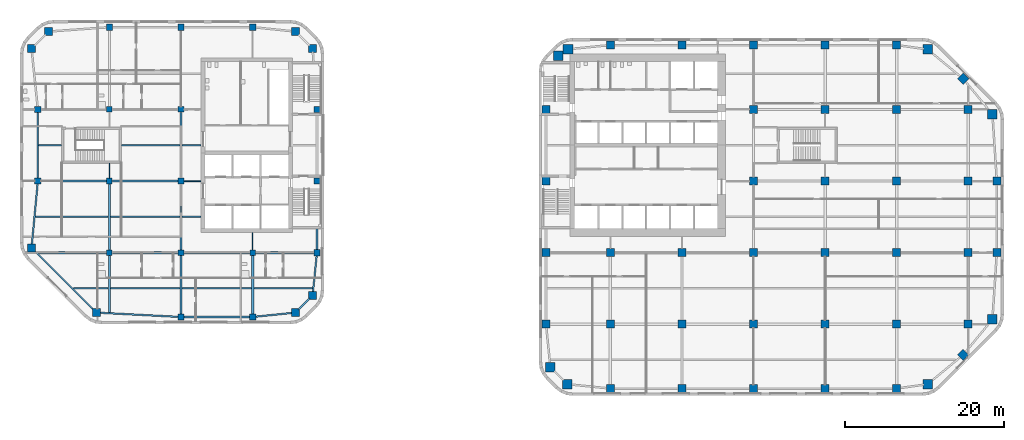
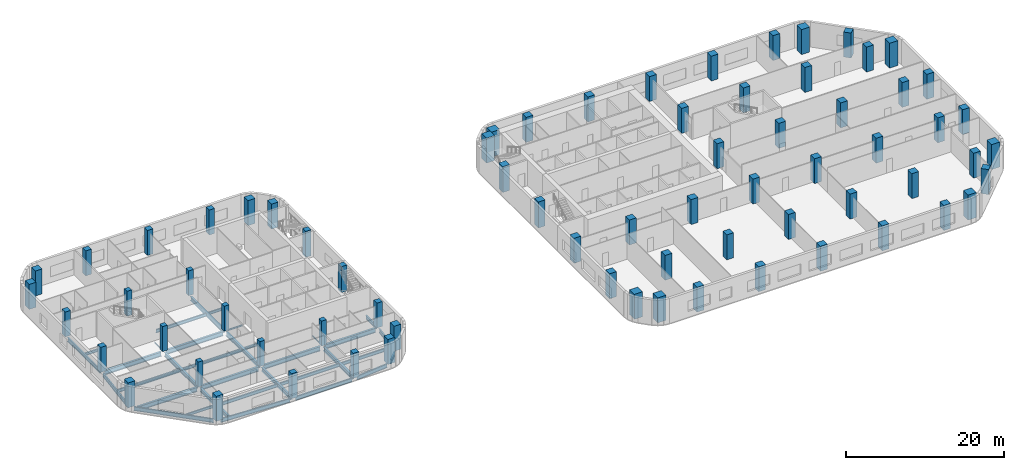
# One storey, part 1 of 16: 71 columns, 34 beams.
"""IFC4 building model written with IfcOpenShell, lengths in metres."""

import ifcopenshell
import ifcopenshell.guid

model = None  # the IFC model being written
_history = None  # IfcOwnerHistory: only IFC2X3 demands one
_inside = {}  # id of a spatial element -> (the spatial element, [elements in it])
_under = {}  # id of a project, library or spatial element -> (it, [spatial elements below it])
_declared = {}  # id of a project -> (the project, [libraries it declares])
_typed = {}  # id of a type object -> (the type object, [elements of that type])
_made_of = {}  # id of a material, layer set ... -> (it, [elements and type objects made of it])


def new_model(schema):
    """Start an empty IFC model of exactly this schema.

    Asked for "IFC4X3", IfcOpenShell would pick the latest addendum, in which some entities
    have other attributes; the version numbers below select the first issue.
    IFC2X3 requires an IfcOwnerHistory on every rooted entity: one is made here for all.
    """
    global model, _history
    if schema == "IFC4X3":
        model = ifcopenshell.file(schema_version=(4, 3, 0, 0))
    else:
        model = ifcopenshell.file(schema=schema)
    _inside.clear()
    _under.clear()
    _declared.clear()
    _typed.clear()
    _made_of.clear()
    _history = None
    if model.schema == "IFC2X3":
        org = make("IfcOrganization", Name="unknown")
        user = make(
            "IfcPersonAndOrganization",
            ThePerson=make("IfcPerson", FamilyName="unknown"),
            TheOrganization=org,
        )
        app = make(
            "IfcApplication",
            ApplicationDeveloper=org,
            Version="unknown",
            ApplicationFullName="unknown",
            ApplicationIdentifier="unknown",
        )
        _history = make(
            "IfcOwnerHistory",
            OwningUser=user,
            OwningApplication=app,
            ChangeAction="ADDED",
            CreationDate=0,
        )
    return model


def make(cls, **values):
    """One entity of the class cls with the attributes given. An attribute that is None is left unset."""
    return model.create_entity(
        cls, **{name: value for name, value in values.items() if value is not None}
    )


def rooted(cls, **values):
    """An entity with a GlobalId (a new one), such as an element, a storey or a relation."""
    return make(cls, GlobalId=ifcopenshell.guid.new(), OwnerHistory=_history, **values)


def si_unit(unit_type, name, prefix=None):
    """IfcSIUnit, for example si_unit("LENGTHUNIT", "METRE", prefix="MILLI")."""
    return make("IfcSIUnit", UnitType=unit_type, Prefix=prefix, Name=name)


def assignment(units):
    """IfcUnitAssignment: the units of a project."""
    return None if units is None else make("IfcUnitAssignment", Units=units)


def point(xyz):
    """IfcCartesianPoint."""
    return None if xyz is None else make("IfcCartesianPoint", Coordinates=xyz)


def direction(xyz):
    """IfcDirection."""
    return None if xyz is None else make("IfcDirection", DirectionRatios=xyz)


def frame(location, z_axis=None, x_axis=None):
    """IfcAxis2Placement3D, a coordinate frame: its origin and axes. An axis left out is left unset."""
    return make(
        "IfcAxis2Placement3D",
        Location=point(location),
        Axis=direction(z_axis),
        RefDirection=direction(x_axis),
    )


def frame_2d(location, x_axis=None):
    """IfcAxis2Placement2D, a coordinate frame in the plane: its origin and x axis."""
    return make(
        "IfcAxis2Placement2D", Location=point(location), RefDirection=direction(x_axis)
    )


def origin():
    """The frame at (0, 0, 0) with its axes left unset."""
    return frame((0.0, 0.0, 0.0))


def origin_2d():
    """The frame at (0, 0) in the plane with its x axis left unset."""
    return frame_2d((0.0, 0.0))


def place(relative_to, where):
    """IfcLocalPlacement: puts the frame where relative to a parent placement (None: the world)."""
    return make(
        "IfcLocalPlacement", PlacementRelTo=relative_to, RelativePlacement=where
    )


def context(
    kind, dimensions, precision=None, world=None, true_north=None, identifier=None
):
    """IfcGeometricRepresentationContext, for example the 3D "Model" context."""
    return make(
        "IfcGeometricRepresentationContext",
        ContextIdentifier=identifier,
        ContextType=kind,
        CoordinateSpaceDimension=dimensions,
        Precision=precision,
        WorldCoordinateSystem=world,
        TrueNorth=true_north,
    )


def subcontext(parent, identifier, kind, view, scale=None):
    """IfcGeometricRepresentationSubContext, for example "Body" below "Model"."""
    return make(
        "IfcGeometricRepresentationSubContext",
        ContextIdentifier=identifier,
        ContextType=kind,
        ParentContext=parent,
        TargetScale=scale,
        TargetView=view,
    )


def project(units=None, contexts=None):
    """IfcProject with its units and contexts."""
    return rooted(
        "IfcProject",
        Name="project",
        RepresentationContexts=contexts,
        UnitsInContext=assignment(units),
    )


def spatial(cls, under=None, at=None, **own):
    """A site, building, storey or space (cls), placed at a placement, below another one or the project."""
    s = rooted(cls, ObjectPlacement=at, **own)
    if under is not None:
        _under.setdefault(under.id(), (under, []))[1].append(s)
    return s


def profile(cls, at=None, kind="AREA", **sizes):
    """A parametric profile (cls). Its sizes go by their IFC names, for example OverallWidth=200.0."""
    return make(cls, ProfileType=kind, Position=at, **sizes)


def rectangle(**sizes):
    """IfcRectangleProfileDef."""
    return profile("IfcRectangleProfileDef", **sizes)


def i_section(**sizes):
    """IfcIShapeProfileDef."""
    return profile("IfcIShapeProfileDef", **sizes)


def extrude(swept, where, along, depth):
    """IfcExtrudedAreaSolid: the profile swept, set in the frame where, extruded along a direction by depth."""
    return make(
        "IfcExtrudedAreaSolid",
        SweptArea=swept,
        Position=where,
        ExtrudedDirection=direction(along),
        Depth=depth,
    )


def shape(context_of_items, identifier, shape_type, items):
    """IfcShapeRepresentation: the items that make up one representation, for example the "Body"."""
    return make(
        "IfcShapeRepresentation",
        ContextOfItems=context_of_items,
        RepresentationIdentifier=identifier,
        RepresentationType=shape_type,
        Items=items,
    )


def material(Name=None, Category=None):
    """IfcMaterial."""
    return make("IfcMaterial", Name=Name, Category=Category)


def material_profile(
    of_material, cross_section, Name=None, Category=None, Priority=None
):
    """IfcMaterialProfile: a cross section and its material."""
    return make(
        "IfcMaterialProfile",
        Name=Name,
        Material=of_material,
        Profile=cross_section,
        Priority=Priority,
        Category=Category,
    )


def profile_set(profiles, Name=None, composite=None):
    """IfcMaterialProfileSet."""
    return make(
        "IfcMaterialProfileSet",
        Name=Name,
        MaterialProfiles=profiles,
        CompositeProfile=composite,
    )


def made_of(thing, what):
    """Note that an element or type object is made of a material, layer set ...; save() writes the relation."""
    if what is not None:
        _made_of.setdefault(what.id(), (what, []))[1].append(thing)
    return thing


def type_object(cls, material=None, **own):
    """A type object (cls), such as IfcWallType, which elements share."""
    return made_of(rooted(cls, **own), material)


def element(
    cls,
    number,
    at=None,
    inside=None,
    cuts=None,
    type_object=None,
    material=None,
    context=None,
    identifier="Body",
    shape_type=None,
    held_by="IfcProductDefinitionShape",
    body=None,
    shapes=None,
    **own,
):
    """One element of the class cls, such as IfcWall. Its Tag is "e" and its number.

    at: its placement. inside: the storey or other place that contains it. cuts: it is an
    opening in that element (IfcRelVoidsElement). A single representation is given by context,
    identifier, shape_type and body (its items); several are given by shapes. held_by: the class
    of the entity that holds the representations. save() writes the other relations.
    """
    e = rooted(cls, Tag="e%d" % number, ObjectPlacement=at, **own)
    if body is not None:
        shapes = [shape(context, identifier, shape_type, body)]
    if shapes is not None:
        e.Representation = make(held_by, Representations=shapes)
    if inside is not None:
        _inside.setdefault(inside.id(), (inside, []))[1].append(e)
    if cuts is not None:
        rooted(
            "IfcRelVoidsElement", RelatingBuildingElement=cuts, RelatedOpeningElement=e
        )
    if type_object is not None:
        _typed.setdefault(type_object.id(), (type_object, []))[1].append(e)
    return made_of(e, material)


def aggregate(whole, parts):
    """IfcRelAggregates: a whole, such as a stair, and the parts it consists of."""
    return rooted("IfcRelAggregates", RelatingObject=whole, RelatedObjects=parts)


def save(model, path):
    """Write the relations noted so far, then the file.

    IfcRelAggregates (storeys below a building ...), IfcRelContainedInSpatialStructure (elements
    in a storey), IfcRelDefinesByType, IfcRelAssociatesMaterial and IfcRelDeclares: one each for
    every whole, place, type object, material and project.
    """
    for whole, parts in _under.values():
        aggregate(whole, parts)
    for where, things in _inside.values():
        rooted(
            "IfcRelContainedInSpatialStructure",
            RelatedElements=things,
            RelatingStructure=where,
        )
    for kind, things in _typed.values():
        rooted("IfcRelDefinesByType", RelatedObjects=things, RelatingType=kind)
    for what, things in _made_of.values():
        rooted("IfcRelAssociatesMaterial", RelatedObjects=things, RelatingMaterial=what)
    for by, libraries in _declared.values():
        rooted("IfcRelDeclares", RelatingContext=by, RelatedDefinitions=libraries)
    model.write(path)


model = new_model("IFC4")

# Units and contexts
model_context = context("Model", 3, precision=1e-05, world=origin(), true_north=direction((0.0, 1.0)))
body_context = subcontext(model_context, "Body", "Model", "MODEL_VIEW")
ifc_project = project(units=[si_unit("LENGTHUNIT", "METRE"), si_unit("AREAUNIT", "SQUARE_METRE"), si_unit("VOLUMEUNIT", "CUBIC_METRE"), si_unit("PLANEANGLEUNIT", "RADIAN"), si_unit("MASSUNIT", "GRAM", prefix="KILO")], contexts=[model_context])

# Site, building, storey
site_placement = place(None, origin())
site = spatial("IfcSite", under=ifc_project, at=site_placement, CompositionType="ELEMENT")
building_placement = place(site_placement, origin())
building = spatial("IfcBuilding", under=site, at=building_placement, Name="Cinnabar Reach Civic Tower", CompositionType="ELEMENT")
storey_placement = place(building_placement, frame((0.0, 0.0, 79.0)))
storey = spatial("IfcBuildingStorey", under=building, at=storey_placement, Name="L18", CompositionType="ELEMENT", Elevation=79.0)

# Columns
ifc_material_1 = material(Name="Concrete C70", Category="concrete")
ifc_material_profile_1 = material_profile(ifc_material_1, rectangle(XDim=1.0, YDim=1.0, at=origin_2d()), Name="RC1000")
ifc_profile_set_1 = profile_set([ifc_material_profile_1], Name="Concrete C70")
column_type_1 = type_object("IfcColumnType", Name="RC1000 column R 180", PredefinedType="COLUMN", material=ifc_profile_set_1)
for number, where, z_axis, x_axis, name in (
    (1, (-55.6481, 10.4531, 0.0), (0.0, 0.0, 1.0), (1.0, 0.0, 0.0), "Column T2-Z2-CC0"),
    (2, (-30.6019, 10.4531, 0.0), (0.0, 0.0, 1.0), (1.0, 0.0, 0.0), "Column T2-Z2-CC1"),
    (3, (-28.4531, 12.6019, 0.0), (0.0, 0.0, 1.0), (1.0, 0.0, 0.0), "Column T2-Z2-CC2"),
    (4, (-28.4531, 43.6481, 0.0), (0.0, 0.0, 1.0), (1.0, 0.0, 0.0), "Column T2-Z2-CC3"),
    (5, (-30.6019, 45.7969, 0.0), (0.0, 0.0, 1.0), (1.0, 0.0, 0.0), "Column T2-Z2-CC4"),
    (6, (-61.6481, 45.7969, 0.0), (0.0, 0.0, 1.0), (1.0, 0.0, 0.0), "Column T2-Z2-CC5"),
    (7, (-63.7969, 43.6481, 0.0), (0.0, 0.0, 1.0), (1.0, 0.0, 0.0), "Column T2-Z2-CC6"),
    (8, (-63.7969, 18.6019, 0.0), (0.0, 0.0, 1.0), (1.0, 0.0, 0.0), "Column T2-Z2-CC7"),
):
    element("IfcColumn", number, at=place(storey_placement, frame(where, z_axis=z_axis, x_axis=x_axis)), inside=storey, type_object=column_type_1, Name=name, PredefinedType="COLUMN", context=body_context, shape_type="SweptSolid", body=[
        extrude(rectangle(XDim=1.0, YDim=1.0, at=origin_2d()), origin(), (0.0, 0.0, 1.0), 3.85),
    ])
ifc_material_profile_2 = material_profile(ifc_material_1, rectangle(XDim=1.0, YDim=1.0, at=origin_2d()), Name="RC1000")
ifc_profile_set_2 = profile_set([ifc_material_profile_2], Name="Concrete C70")
column_type_2 = type_object("IfcColumnType", Name="RC1000 column R 240", PredefinedType="COLUMN", material=ifc_profile_set_2)
for number, where, z_axis, x_axis, name in (
    (9, (9.0, 0.9, 0.0), (0.0, 0.0, 1.0), (1.0, 0.0, 0.0), "Column T1-Z1-F0-1"),
    (10, (18.0, 0.9, 0.0), (0.0, 0.0, 1.0), (1.0, 0.0, 0.0), "Column T1-Z1-F0-2"),
    (11, (27.0, 0.9, 0.0), (0.0, 0.0, 1.0), (1.0, 0.0, 0.0), "Column T1-Z1-F0-3"),
    (12, (36.0, 0.9, 0.0), (0.0, 0.0, 1.0), (1.0, 0.0, 0.0), "Column T1-Z1-F0-4"),
    (13, (45.0, 0.9, 0.0), (0.0, 0.0, 1.0), (1.0, 0.0, 0.0), "Column T1-Z1-F0-5"),
    (14, (53.3636, 5.1364, 0.0), (0.0, 0.0, 1.0), (0.707106781187, 0.707106781187, 0.0), "Column T1-Z1-F1-M"),
    (15, (57.6, 18.0, 0.0), (0.0, 0.0, 1.0), (1.0, 0.0, 0.0), "Column T1-Z1-F2-2"),
    (16, (57.6, 27.0, 0.0), (0.0, 0.0, 1.0), (1.0, 0.0, 0.0), "Column T1-Z1-F2-3"),
    (17, (53.3636, 39.8636, 0.0), (0.0, 0.0, 1.0), (0.707106781187, 0.707106781187, 0.0), "Column T1-Z1-F3-M"),
    (18, (9.0, 44.1, 0.0), (0.0, 0.0, 1.0), (1.0, 0.0, 0.0), "Column T1-Z1-F4-1"),
    (19, (18.0, 44.1, 0.0), (0.0, 0.0, 1.0), (1.0, 0.0, 0.0), "Column T1-Z1-F4-2"),
    (20, (27.0, 44.1, 0.0), (0.0, 0.0, 1.0), (1.0, 0.0, 0.0), "Column T1-Z1-F4-3"),
    (21, (36.0, 44.1, 0.0), (0.0, 0.0, 1.0), (1.0, 0.0, 0.0), "Column T1-Z1-F4-4"),
    (22, (45.0, 44.1, 0.0), (0.0, 0.0, 1.0), (1.0, 0.0, 0.0), "Column T1-Z1-F4-5"),
    (23, (0.9, 9.0, 0.0), (0.0, 0.0, 1.0), (1.0, 0.0, 0.0), "Column T1-Z1-F6-1"),
    (24, (0.9, 18.0, 0.0), (0.0, 0.0, 1.0), (1.0, 0.0, 0.0), "Column T1-Z1-F6-2"),
):
    element("IfcColumn", number, at=place(storey_placement, frame(where, z_axis=z_axis, x_axis=x_axis)), inside=storey, type_object=column_type_2, Name=name, PredefinedType="COLUMN", context=body_context, shape_type="SweptSolid", body=[
        extrude(rectangle(XDim=1.0, YDim=1.0, at=origin_2d()), origin(), (0.0, 0.0, 1.0), 3.85),
    ])
for number, where, z_axis, x_axis, name in (
    (25, (0.9, 27.0, 0.0), (0.0, 0.0, 1.0), (1.0, 0.0, 0.0), "Column T1-Z1-F6-3"),
    (26, (0.9, 36.0, 0.0), (0.0, 0.0, 1.0), (1.0, 0.0, 0.0), "Column T1-Z1-F6-4"),
):
    element("IfcColumn", number, at=place(storey_placement, frame(where, z_axis=z_axis, x_axis=x_axis)), inside=storey, type_object=column_type_2, Name=name, PredefinedType="COLUMN", context=body_context, shape_type="SweptSolid", body=[
        extrude(rectangle(XDim=1.0, YDim=1.0, at=origin_2d()), origin(), (0.0, 0.0, 1.0), 4.0),
    ])
for number, where, z_axis, x_axis, name in (
    (27, (9.0, 9.0, 0.0), (0.0, 0.0, 1.0), (1.0, 0.0, 0.0), "Column T1-Z1-I9_9"),
    (28, (9.0, 18.0, 0.0), (0.0, 0.0, 1.0), (1.0, 0.0, 0.0), "Column T1-Z1-I9_18"),
    (29, (18.0, 9.0, 0.0), (0.0, 0.0, 1.0), (1.0, 0.0, 0.0), "Column T1-Z1-I18_9"),
    (30, (18.0, 18.0, 0.0), (0.0, 0.0, 1.0), (1.0, 0.0, 0.0), "Column T1-Z1-I18_18"),
    (31, (27.0, 9.0, 0.0), (0.0, 0.0, 1.0), (1.0, 0.0, 0.0), "Column T1-Z1-I27_9"),
    (32, (27.0, 18.0, 0.0), (0.0, 0.0, 1.0), (1.0, 0.0, 0.0), "Column T1-Z1-I27_18"),
    (33, (27.0, 27.0, 0.0), (0.0, 0.0, 1.0), (1.0, 0.0, 0.0), "Column T1-Z1-I27_27"),
    (34, (27.0, 36.0, 0.0), (0.0, 0.0, 1.0), (1.0, 0.0, 0.0), "Column T1-Z1-I27_36"),
    (35, (36.0, 9.0, 0.0), (0.0, 0.0, 1.0), (1.0, 0.0, 0.0), "Column T1-Z1-I36_9"),
    (36, (36.0, 18.0, 0.0), (0.0, 0.0, 1.0), (1.0, 0.0, 0.0), "Column T1-Z1-I36_18"),
    (37, (36.0, 27.0, 0.0), (0.0, 0.0, 1.0), (1.0, 0.0, 0.0), "Column T1-Z1-I36_27"),
    (38, (36.0, 36.0, 0.0), (0.0, 0.0, 1.0), (1.0, 0.0, 0.0), "Column T1-Z1-I36_36"),
    (39, (45.0, 9.0, 0.0), (0.0, 0.0, 1.0), (1.0, 0.0, 0.0), "Column T1-Z1-I45_9"),
    (40, (45.0, 18.0, 0.0), (0.0, 0.0, 1.0), (1.0, 0.0, 0.0), "Column T1-Z1-I45_18"),
    (41, (45.0, 27.0, 0.0), (0.0, 0.0, 1.0), (1.0, 0.0, 0.0), "Column T1-Z1-I45_27"),
    (42, (45.0, 36.0, 0.0), (0.0, 0.0, 1.0), (1.0, 0.0, 0.0), "Column T1-Z1-I45_36"),
    (43, (54.0, 9.0, 0.0), (0.0, 0.0, 1.0), (1.0, 0.0, 0.0), "Column T1-Z1-I54_9"),
    (44, (54.0, 18.0, 0.0), (0.0, 0.0, 1.0), (1.0, 0.0, 0.0), "Column T1-Z1-I54_18"),
    (45, (54.0, 27.0, 0.0), (0.0, 0.0, 1.0), (1.0, 0.0, 0.0), "Column T1-Z1-I54_27"),
    (46, (54.0, 36.0, 0.0), (0.0, 0.0, 1.0), (1.0, 0.0, 0.0), "Column T1-Z1-I54_36"),
):
    element("IfcColumn", number, at=place(storey_placement, frame(where, z_axis=z_axis, x_axis=x_axis)), inside=storey, type_object=column_type_2, Name=name, PredefinedType="COLUMN", context=body_context, shape_type="SweptSolid", body=[
        extrude(rectangle(XDim=1.0, YDim=1.0, at=origin_2d()), origin(), (0.0, 0.0, 1.0), 3.85),
    ])
ifc_material_2 = material(Name="Concrete C80", Category="concrete")
ifc_material_profile_3 = material_profile(ifc_material_2, rectangle(XDim=1.2, YDim=1.2, at=origin_2d()), Name="RC1200")
ifc_profile_set_3 = profile_set([ifc_material_profile_3], Name="Concrete C80")
column_type_3 = type_object("IfcColumnType", Name="RC1200 column R 240", PredefinedType="COLUMN", material=ifc_profile_set_3)
for number, where, z_axis, x_axis, name in (
    (47, (3.6019, 1.4531, 0.0), (0.0, 0.0, 1.0), (1.0, 0.0, 0.0), "Column T1-Z1-CC0"),
    (48, (48.8981, 1.4531, 0.0), (0.0, 0.0, 1.0), (1.0, 0.0, 0.0), "Column T1-Z1-CC1"),
    (49, (57.0469, 9.6019, 0.0), (0.0, 0.0, 1.0), (1.0, 0.0, 0.0), "Column T1-Z1-CC2"),
    (50, (57.0469, 35.3981, 0.0), (0.0, 0.0, 1.0), (1.0, 0.0, 0.0), "Column T1-Z1-CC3"),
    (51, (48.8981, 43.5469, 0.0), (0.0, 0.0, 1.0), (1.0, 0.0, 0.0), "Column T1-Z1-CC4"),
    (52, (3.6666, 43.5737, 0.0), (0.0, 0.0, 1.0), (1.0, 0.0, 0.0), "Column T1-Z1-CC5"),
    (53, (2.4631, 42.75, 0.0), (0.0, 0.0, 1.0), (1.0, 0.0, 0.0), "Column T1-Z1-CC6"),
    (54, (1.4531, 3.6019, 0.0), (0.0, 0.0, 1.0), (1.0, 0.0, 0.0), "Column T1-Z1-CC7"),
):
    element("IfcColumn", number, at=place(storey_placement, frame(where, z_axis=z_axis, x_axis=x_axis)), inside=storey, type_object=column_type_3, Name=name, PredefinedType="COLUMN", context=body_context, shape_type="SweptSolid", body=[
        extrude(rectangle(XDim=1.2, YDim=1.2, at=origin_2d()), origin(), (0.0, 0.0, 1.0), 3.85),
    ])
ifc_material_3 = material(Name="Concrete C60", Category="concrete")
ifc_material_profile_4 = material_profile(ifc_material_3, rectangle(XDim=0.7, YDim=0.7, at=origin_2d()), Name="RC700")
ifc_profile_set_4 = profile_set([ifc_material_profile_4], Name="Concrete C60")
column_type_4 = type_object("IfcColumnType", Name="RC700 column R 180", PredefinedType="COLUMN", material=ifc_profile_set_4)
for number, where, z_axis, x_axis, name in (
    (55, (-54.0, 18.0, 0.0), (0.0, 0.0, 1.0), (1.0, 0.0, 0.0), "Column T2-Z2-I-54_18"),
    (56, (-54.0, 27.0, 0.0), (0.0, 0.0, 1.0), (1.0, 0.0, 0.0), "Column T2-Z2-I-54_27"),
    (57, (-54.0, 36.0, 0.0), (0.0, 0.0, 1.0), (1.0, 0.0, 0.0), "Column T2-Z2-I-54_36"),
    (58, (-45.0, 18.0, 0.0), (0.0, 0.0, 1.0), (1.0, 0.0, 0.0), "Column T2-Z2-I-45_18"),
    (59, (-45.0, 27.0, 0.0), (0.0, 0.0, 1.0), (1.0, 0.0, 0.0), "Column T2-Z2-I-45_27"),
    (60, (-45.0, 36.0, 0.0), (0.0, 0.0, 1.0), (1.0, 0.0, 0.0), "Column T2-Z2-I-45_36"),
    (61, (-36.0, 18.0, 0.0), (0.0, 0.0, 1.0), (1.0, 0.0, 0.0), "Column T2-Z2-I-36_18"),
):
    element("IfcColumn", number, at=place(storey_placement, frame(where, z_axis=z_axis, x_axis=x_axis)), inside=storey, type_object=column_type_4, Name=name, PredefinedType="COLUMN", context=body_context, shape_type="SweptSolid", body=[
        extrude(rectangle(XDim=0.7, YDim=0.7, at=origin_2d()), origin(), (0.0, 0.0, 1.0), 3.85),
    ])
ifc_material_profile_5 = material_profile(ifc_material_3, rectangle(XDim=0.8, YDim=0.8, at=origin_2d()), Name="RC800")
ifc_profile_set_5 = profile_set([ifc_material_profile_5], Name="Concrete C60")
column_type_5 = type_object("IfcColumnType", Name="RC800 column R 180", PredefinedType="COLUMN", material=ifc_profile_set_5)
for number, where, z_axis, x_axis, name in (
    (62, (-45.0, 9.9, 0.0), (0.0, 0.0, 1.0), (1.0, 0.0, 0.0), "Column T2-Z2-F0--5"),
    (63, (-36.0, 9.9, 0.0), (0.0, 0.0, 1.0), (1.0, 0.0, 0.0), "Column T2-Z2-F0--4"),
    (64, (-27.9, 18.0, 0.0), (0.0, 0.0, 1.0), (1.0, 0.0, 0.0), "Column T2-Z2-F2-2"),
):
    element("IfcColumn", number, at=place(storey_placement, frame(where, z_axis=z_axis, x_axis=x_axis)), inside=storey, type_object=column_type_5, Name=name, PredefinedType="COLUMN", context=body_context, shape_type="SweptSolid", body=[
        extrude(rectangle(XDim=0.8, YDim=0.8, at=origin_2d()), origin(), (0.0, 0.0, 1.0), 3.85),
    ])
for number, where, z_axis, x_axis, name in (
    (65, (-27.9, 27.0, 0.0), (0.0, 0.0, 1.0), (1.0, 0.0, 0.0), "Column T2-Z2-F2-3"),
    (66, (-27.9, 36.0, 0.0), (0.0, 0.0, 1.0), (1.0, 0.0, 0.0), "Column T2-Z2-F2-4"),
):
    element("IfcColumn", number, at=place(storey_placement, frame(where, z_axis=z_axis, x_axis=x_axis)), inside=storey, type_object=column_type_5, Name=name, PredefinedType="COLUMN", context=body_context, shape_type="SweptSolid", body=[
        extrude(rectangle(XDim=0.8, YDim=0.8, at=origin_2d()), origin(), (0.0, 0.0, 1.0), 4.0),
    ])
for number, where, z_axis, x_axis, name in (
    (67, (-54.0, 46.35, 0.0), (0.0, 0.0, 1.0), (1.0, 0.0, 0.0), "Column T2-Z2-F4--6"),
    (68, (-45.0, 46.35, 0.0), (0.0, 0.0, 1.0), (1.0, 0.0, 0.0), "Column T2-Z2-F4--5"),
    (69, (-36.0, 46.35, 0.0), (0.0, 0.0, 1.0), (1.0, 0.0, 0.0), "Column T2-Z2-F4--4"),
    (70, (-63.0, 27.0, 0.0), (0.0, 0.0, 1.0), (1.0, 0.0, 0.0), "Column T2-Z2-F6-3"),
    (71, (-63.0, 36.0, 0.0), (0.0, 0.0, 1.0), (1.0, 0.0, 0.0), "Column T2-Z2-F6-4"),
):
    element("IfcColumn", number, at=place(storey_placement, frame(where, z_axis=z_axis, x_axis=x_axis)), inside=storey, type_object=column_type_5, Name=name, PredefinedType="COLUMN", context=body_context, shape_type="SweptSolid", body=[
        extrude(rectangle(XDim=0.8, YDim=0.8, at=origin_2d()), origin(), (0.0, 0.0, 1.0), 3.85),
    ])

# Beams
ifc_material_4 = material(Name="Steel Q355B", Category="steel")
ifc_material_profile_6 = material_profile(ifc_material_4, i_section(OverallWidth=0.302, OverallDepth=0.594, WebThickness=0.014, FlangeThickness=0.023, FilletRadius=0.016, at=origin_2d()), Name="HM594x302x14x23")
ifc_profile_set_6 = profile_set([ifc_material_profile_6], Name="Steel Q355B")
beam_type_1 = type_object("IfcBeamType", Name="HM594x302x14x23 beam R 120", PredefinedType="BEAM", material=ifc_profile_set_6)
beam_1_placement = place(storey_placement, frame((-54.0, 10.4696, -0.447), z_axis=(0.0, 1.0, 0.0), x_axis=(-1.0, 0.0, 0.0)))
element("IfcBeam", 72, at=beam_1_placement, inside=storey, type_object=beam_type_1, Name="Girder T2 L18 1", PredefinedType="BEAM", context=body_context, shape_type="SweptSolid", body=[
    extrude(i_section(OverallWidth=0.302, OverallDepth=0.594, WebThickness=0.014, FlangeThickness=0.023, FilletRadius=0.016, at=origin_2d()), origin(), (0.0, 0.0, 1.0), 7.1784),
])
beam_2_placement = place(storey_placement, frame((-54.0, 18.352, -0.447), z_axis=(0.0, 1.0, 0.0), x_axis=(-1.0, 0.0, 0.0)))
element("IfcBeam", 73, at=beam_2_placement, inside=storey, type_object=beam_type_1, Name="Girder T2 L18 2", PredefinedType="BEAM", context=body_context, shape_type="SweptSolid", body=[
    extrude(i_section(OverallWidth=0.302, OverallDepth=0.594, WebThickness=0.014, FlangeThickness=0.023, FilletRadius=0.016, at=origin_2d()), origin(), (0.0, 0.0, 1.0), 8.296),
])
beam_3_placement = place(storey_placement, frame((-45.0, 10.302, -0.447), z_axis=(0.0, 1.0, 0.0), x_axis=(-1.0, 0.0, 0.0)))
element("IfcBeam", 74, at=beam_3_placement, inside=storey, type_object=beam_type_1, Name="Girder T2 L18 6", PredefinedType="BEAM", context=body_context, shape_type="SweptSolid", body=[
    extrude(i_section(OverallWidth=0.302, OverallDepth=0.594, WebThickness=0.014, FlangeThickness=0.023, FilletRadius=0.016, at=origin_2d()), origin(), (0.0, 0.0, 1.0), 7.346),
])
for number, where, z_axis, x_axis, name in (
    (75, (-45.0, 18.352, -0.447), (0.0, 1.0, 0.0), (-1.0, 0.0, 0.0), "Girder T2 L18 7"),
    (76, (-45.0, 27.352, -0.447), (0.0, 1.0, 0.0), (-1.0, 0.0, 0.0), "Girder T2 L18 8"),
):
    element("IfcBeam", number, at=place(storey_placement, frame(where, z_axis=z_axis, x_axis=x_axis)), inside=storey, type_object=beam_type_1, Name=name, PredefinedType="BEAM", context=body_context, shape_type="SweptSolid", body=[
        extrude(i_section(OverallWidth=0.302, OverallDepth=0.594, WebThickness=0.014, FlangeThickness=0.023, FilletRadius=0.016, at=origin_2d()), origin(), (0.0, 0.0, 1.0), 8.296),
    ])
beam_4_placement = place(storey_placement, frame((-36.0, 10.302, -0.447), z_axis=(0.0, 1.0, 0.0), x_axis=(-1.0, 0.0, 0.0)))
element("IfcBeam", 77, at=beam_4_placement, inside=storey, type_object=beam_type_1, Name="Girder T2 L18 10", PredefinedType="BEAM", context=body_context, shape_type="SweptSolid", body=[
    extrude(i_section(OverallWidth=0.302, OverallDepth=0.594, WebThickness=0.014, FlangeThickness=0.023, FilletRadius=0.016, at=origin_2d()), origin(), (0.0, 0.0, 1.0), 7.346),
])
ifc_material_profile_7 = material_profile(ifc_material_4, i_section(OverallWidth=0.099, OverallDepth=0.198, WebThickness=0.0045, FlangeThickness=0.007, FilletRadius=0.013, at=origin_2d()), Name="HN200x100x5.5x8")
ifc_profile_set_7 = profile_set([ifc_material_profile_7], Name="Steel Q355B")
beam_type_2 = type_object("IfcBeamType", Name="HN200x100x5.5x8 beam R 120", PredefinedType="BEAM", material=ifc_profile_set_7)
beam_5_placement = place(storey_placement, frame((-54.0, 27.352, -0.249), z_axis=(0.0, 1.0, 0.0), x_axis=(-1.0, 0.0, 0.0)))
element("IfcBeam", 78, at=beam_5_placement, inside=storey, type_object=beam_type_2, Name="Girder T2 L18 3", PredefinedType="BEAM", context=body_context, shape_type="SweptSolid", body=[
    extrude(i_section(OverallWidth=0.099, OverallDepth=0.198, WebThickness=0.0045, FlangeThickness=0.007, FilletRadius=0.013, at=origin_2d()), origin(), (0.0, 0.0, 1.0), 1.896),
])
beam_6_placement = place(storey_placement, frame((-36.0, 18.352, -0.249), z_axis=(0.0, 1.0, 0.0), x_axis=(-1.0, 0.0, 0.0)))
element("IfcBeam", 79, at=beam_6_placement, inside=storey, type_object=beam_type_2, Name="Girder T2 L18 11", PredefinedType="BEAM", context=body_context, shape_type="SweptSolid", body=[
    extrude(i_section(OverallWidth=0.099, OverallDepth=0.198, WebThickness=0.0045, FlangeThickness=0.007, FilletRadius=0.013, at=origin_2d()), origin(), (0.0, 0.0, 1.0), 2.146),
])
ifc_material_profile_8 = material_profile(ifc_material_4, i_section(OverallWidth=0.124, OverallDepth=0.248, WebThickness=0.005, FlangeThickness=0.008, FilletRadius=0.013, at=origin_2d()), Name="HN250x125x6x9")
ifc_profile_set_8 = profile_set([ifc_material_profile_8], Name="Steel Q355B")
beam_type_3 = type_object("IfcBeamType", Name="HN250x125x6x9 beam R 120", PredefinedType="BEAM", material=ifc_profile_set_8)
beam_7_placement = place(storey_placement, frame((-44.648, 27.0, -0.274), z_axis=(1.0, 0.0, 0.0), x_axis=(0.0, 1.0, 0.0)))
element("IfcBeam", 80, at=beam_7_placement, inside=storey, type_object=beam_type_3, Name="Girder T2 L18 7", PredefinedType="BEAM", context=body_context, shape_type="SweptSolid", body=[
    extrude(i_section(OverallWidth=0.124, OverallDepth=0.248, WebThickness=0.005, FlangeThickness=0.008, FilletRadius=0.013, at=origin_2d()), origin(), (0.0, 0.0, 1.0), 2.146),
])
ifc_material_profile_9 = material_profile(ifc_material_4, i_section(OverallWidth=0.199, OverallDepth=0.396, WebThickness=0.007, FlangeThickness=0.011, FilletRadius=0.013, at=origin_2d()), Name="HN396x199x7x11")
ifc_profile_set_9 = profile_set([ifc_material_profile_9], Name="Steel Q355B")
beam_type_4 = type_object("IfcBeamType", Name="HN396x199x7x11 beam R 120", PredefinedType="BEAM", material=ifc_profile_set_9)
beam_8_placement = place(storey_placement, frame((-58.5508, 13.5, -0.348), z_axis=(1.0, 0.0, 0.0), x_axis=(0.0, 1.0, 0.0)))
element("IfcBeam", 81, at=beam_8_placement, inside=storey, type_object=beam_type_4, Name="Secondary beam T2 L18 1", PredefinedType="BEAM", context=body_context, shape_type="SweptSolid", body=[
    extrude(i_section(OverallWidth=0.199, OverallDepth=0.396, WebThickness=0.007, FlangeThickness=0.011, FilletRadius=0.013, at=origin_2d()), origin(), (0.0, 0.0, 1.0), 4.3978),
])
beam_9_placement = place(storey_placement, frame((-44.847, 22.5, -0.348), z_axis=(1.0, 0.0, 0.0), x_axis=(0.0, 1.0, 0.0)))
element("IfcBeam", 82, at=beam_9_placement, inside=storey, type_object=beam_type_4, Name="Secondary beam T2 L18 7", PredefinedType="BEAM", context=body_context, shape_type="SweptSolid", body=[
    extrude(i_section(OverallWidth=0.199, OverallDepth=0.396, WebThickness=0.007, FlangeThickness=0.011, FilletRadius=0.013, at=origin_2d()), origin(), (0.0, 0.0, 1.0), 2.345),
])
beam_10_placement = place(storey_placement, frame((-62.898, 31.5, -0.348), z_axis=(1.0, 0.0, 0.0), x_axis=(0.0, 1.0, 0.0)))
element("IfcBeam", 83, at=beam_10_placement, inside=storey, type_object=beam_type_4, Name="Secondary beam T2 L18 8", PredefinedType="BEAM", context=body_context, shape_type="SweptSolid", body=[
    extrude(i_section(OverallWidth=0.199, OverallDepth=0.396, WebThickness=0.007, FlangeThickness=0.011, FilletRadius=0.013, at=origin_2d()), origin(), (0.0, 0.0, 1.0), 2.896),
])
beam_11_placement = place(storey_placement, frame((-44.847, 31.5, -0.348), z_axis=(1.0, 0.0, 0.0), x_axis=(0.0, 1.0, 0.0)))
element("IfcBeam", 84, at=beam_11_placement, inside=storey, type_object=beam_type_4, Name="Secondary beam T2 L18 10", PredefinedType="BEAM", context=body_context, shape_type="SweptSolid", body=[
    extrude(i_section(OverallWidth=0.199, OverallDepth=0.396, WebThickness=0.007, FlangeThickness=0.011, FilletRadius=0.013, at=origin_2d()), origin(), (0.0, 0.0, 1.0), 2.345),
])
ifc_material_profile_10 = material_profile(ifc_material_4, i_section(OverallWidth=0.199, OverallDepth=0.496, WebThickness=0.009, FlangeThickness=0.014, FilletRadius=0.016, at=origin_2d()), Name="HN496x199x9x14")
ifc_profile_set_10 = profile_set([ifc_material_profile_10], Name="Steel Q355B")
beam_type_5 = type_object("IfcBeamType", Name="HN496x199x9x14 beam R 120", PredefinedType="BEAM", material=ifc_profile_set_10)
for number, where, z_axis, x_axis, name in (
    (85, (-53.847, 13.5, -0.398), (1.0, 0.0, 0.0), (0.0, 1.0, 0.0), "Secondary beam T2 L18 2"),
    (86, (-44.847, 13.5, -0.398), (1.0, 0.0, 0.0), (0.0, 1.0, 0.0), "Secondary beam T2 L18 3"),
):
    element("IfcBeam", number, at=place(storey_placement, frame(where, z_axis=z_axis, x_axis=x_axis)), inside=storey, type_object=beam_type_5, Name=name, PredefinedType="BEAM", context=body_context, shape_type="SweptSolid", body=[
        extrude(i_section(OverallWidth=0.199, OverallDepth=0.496, WebThickness=0.009, FlangeThickness=0.014, FilletRadius=0.016, at=origin_2d()), origin(), (0.0, 0.0, 1.0), 8.694),
    ])
beam_12_placement = place(storey_placement, frame((-35.847, 13.5, -0.398), z_axis=(1.0, 0.0, 0.0), x_axis=(0.0, 1.0, 0.0)))
element("IfcBeam", 87, at=beam_12_placement, inside=storey, type_object=beam_type_5, Name="Secondary beam T2 L18 4", PredefinedType="BEAM", context=body_context, shape_type="SweptSolid", body=[
    extrude(i_section(OverallWidth=0.199, OverallDepth=0.496, WebThickness=0.009, FlangeThickness=0.014, FilletRadius=0.016, at=origin_2d()), origin(), (0.0, 0.0, 1.0), 7.3834),
])
beam_13_placement = place(storey_placement, frame((-63.3245, 22.5, -0.398), z_axis=(1.0, 0.0, 0.0), x_axis=(0.0, 1.0, 0.0)))
element("IfcBeam", 88, at=beam_13_placement, inside=storey, type_object=beam_type_5, Name="Secondary beam T2 L18 5", PredefinedType="BEAM", context=body_context, shape_type="SweptSolid", body=[
    extrude(i_section(OverallWidth=0.199, OverallDepth=0.496, WebThickness=0.009, FlangeThickness=0.014, FilletRadius=0.016, at=origin_2d()), origin(), (0.0, 0.0, 1.0), 9.1715),
])
beam_14_placement = place(storey_placement, frame((-53.847, 22.5, -0.398), z_axis=(1.0, 0.0, 0.0), x_axis=(0.0, 1.0, 0.0)))
element("IfcBeam", 89, at=beam_14_placement, inside=storey, type_object=beam_type_5, Name="Secondary beam T2 L18 6", PredefinedType="BEAM", context=body_context, shape_type="SweptSolid", body=[
    extrude(i_section(OverallWidth=0.199, OverallDepth=0.496, WebThickness=0.009, FlangeThickness=0.014, FilletRadius=0.016, at=origin_2d()), origin(), (0.0, 0.0, 1.0), 8.694),
])
beam_15_placement = place(storey_placement, frame((-52.498, 31.5, -0.398), z_axis=(1.0, 0.0, 0.0), x_axis=(0.0, 1.0, 0.0)))
element("IfcBeam", 90, at=beam_15_placement, inside=storey, type_object=beam_type_5, Name="Secondary beam T2 L18 9", PredefinedType="BEAM", context=body_context, shape_type="SweptSolid", body=[
    extrude(i_section(OverallWidth=0.199, OverallDepth=0.496, WebThickness=0.009, FlangeThickness=0.014, FilletRadius=0.016, at=origin_2d()), origin(), (0.0, 0.0, 1.0), 7.345),
])
ifc_material_profile_11 = material_profile(ifc_material_4, i_section(OverallWidth=0.2, OverallDepth=0.6, WebThickness=0.011, FlangeThickness=0.017, FilletRadius=0.016, at=origin_2d()), Name="HN600x200x11x17")
ifc_profile_set_11 = profile_set([ifc_material_profile_11], Name="Steel Q355B")
beam_type_6 = type_object("IfcBeamType", Name="HN600x200x11x17 beam R 120", PredefinedType="BEAM", material=ifc_profile_set_11)
beam_16_placement = place(storey_placement, frame((-55.2661, 10.4333, -0.45), z_axis=(0.998653533726, -0.051876001934, 0.0), x_axis=(0.051876001934, 0.998653533726, 0.0)))
element("IfcBeam", 91, at=beam_16_placement, inside=storey, type_object=beam_type_6, Name="Edge beam T2 L18 1", PredefinedType="BEAM", context=body_context, shape_type="SweptSolid", body=[
    extrude(i_section(OverallWidth=0.2, OverallDepth=0.6, WebThickness=0.011, FlangeThickness=0.017, FilletRadius=0.016, at=origin_2d()), origin(), (0.0, 0.0, 1.0), 9.8774),
])
beam_17_placement = place(storey_placement, frame((-44.598, 9.9, -0.45), z_axis=(1.0, 0.0, 0.0), x_axis=(0.0, 1.0, 0.0)))
element("IfcBeam", 92, at=beam_17_placement, inside=storey, type_object=beam_type_6, Name="Edge beam T2 L18 2", PredefinedType="BEAM", context=body_context, shape_type="SweptSolid", body=[
    extrude(i_section(OverallWidth=0.2, OverallDepth=0.6, WebThickness=0.011, FlangeThickness=0.017, FilletRadius=0.016, at=origin_2d()), origin(), (0.0, 0.0, 1.0), 8.196),
])
beam_18_placement = place(storey_placement, frame((-35.598, 9.9412, -0.45), z_axis=(0.994791084875, 0.101934770579, 0.0), x_axis=(-0.101934770579, 0.994791084875, 0.0)))
element("IfcBeam", 93, at=beam_18_placement, inside=storey, type_object=beam_type_6, Name="Edge beam T2 L18 3", PredefinedType="BEAM", context=body_context, shape_type="SweptSolid", body=[
    extrude(i_section(OverallWidth=0.2, OverallDepth=0.6, WebThickness=0.011, FlangeThickness=0.017, FilletRadius=0.016, at=origin_2d()), origin(), (0.0, 0.0, 1.0), 4.6383),
])
beam_19_placement = place(storey_placement, frame((-30.2199, 10.8351, -0.45), z_axis=(0.707106781187, 0.707106781187, 0.0), x_axis=(-0.707106781187, 0.707106781187, 0.0)))
element("IfcBeam", 94, at=beam_19_placement, inside=storey, type_object=beam_type_6, Name="Edge beam T2 L18 4", PredefinedType="BEAM", context=body_context, shape_type="SweptSolid", body=[
    extrude(i_section(OverallWidth=0.2, OverallDepth=0.6, WebThickness=0.011, FlangeThickness=0.017, FilletRadius=0.016, at=origin_2d()), origin(), (0.0, 0.0, 1.0), 1.9584),
])
beam_20_placement = place(storey_placement, frame((-28.414, 12.9839, -0.45), z_axis=(0.101934770579, 0.994791084875, 0.0), x_axis=(-0.994791084875, 0.101934770579, 0.0)))
element("IfcBeam", 95, at=beam_20_placement, inside=storey, type_object=beam_type_6, Name="Edge beam T2 L18 5", PredefinedType="BEAM", context=body_context, shape_type="SweptSolid", body=[
    extrude(i_section(OverallWidth=0.2, OverallDepth=0.6, WebThickness=0.011, FlangeThickness=0.017, FilletRadius=0.016, at=origin_2d()), origin(), (0.0, 0.0, 1.0), 4.6383),
])
beam_21_placement = place(storey_placement, frame((-27.9, 18.402, -0.45), z_axis=(0.0, 1.0, 0.0), x_axis=(-1.0, 0.0, 0.0)))
element("IfcBeam", 96, at=beam_21_placement, inside=storey, type_object=beam_type_6, Name="Edge beam T2 L18 6", PredefinedType="BEAM", context=body_context, shape_type="SweptSolid", body=[
    extrude(i_section(OverallWidth=0.2, OverallDepth=0.6, WebThickness=0.011, FlangeThickness=0.017, FilletRadius=0.016, at=origin_2d()), origin(), (0.0, 0.0, 1.0), 2.596),
])
beam_22_placement = place(storey_placement, frame((-63.0, 35.598, -0.45), z_axis=(0.0, -1.0, 0.0), x_axis=(1.0, 0.0, 0.0)))
element("IfcBeam", 97, at=beam_22_placement, inside=storey, type_object=beam_type_6, Name="Edge beam T2 L18 16", PredefinedType="BEAM", context=body_context, shape_type="SweptSolid", body=[
    extrude(i_section(OverallWidth=0.2, OverallDepth=0.6, WebThickness=0.011, FlangeThickness=0.017, FilletRadius=0.016, at=origin_2d()), origin(), (0.0, 0.0, 1.0), 8.196),
])
beam_23_placement = place(storey_placement, frame((-63.0381, 26.598, -0.45), z_axis=(-0.094478368886, -0.99552691466, 0.0), x_axis=(0.99552691466, -0.094478368886, 0.0)))
element("IfcBeam", 98, at=beam_23_placement, inside=storey, type_object=beam_type_6, Name="Edge beam T2 L18 17", PredefinedType="BEAM", context=body_context, shape_type="SweptSolid", body=[
    extrude(i_section(OverallWidth=0.2, OverallDepth=0.6, WebThickness=0.011, FlangeThickness=0.017, FilletRadius=0.016, at=origin_2d()), origin(), (0.0, 0.0, 1.0), 7.6483),
])
beam_24_placement = place(storey_placement, frame((-63.4149, 18.2199, -0.45), z_axis=(0.707106781187, -0.707106781187, 0.0), x_axis=(0.707106781187, 0.707106781187, 0.0)))
element("IfcBeam", 99, at=beam_24_placement, inside=storey, type_object=beam_type_6, Name="Edge beam T2 L18 18", PredefinedType="BEAM", context=body_context, shape_type="SweptSolid", body=[
    extrude(i_section(OverallWidth=0.2, OverallDepth=0.6, WebThickness=0.011, FlangeThickness=0.017, FilletRadius=0.016, at=origin_2d()), origin(), (0.0, 0.0, 1.0), 10.4437),
])
ifc_material_profile_12 = material_profile(ifc_material_4, i_section(OverallWidth=0.3, OverallDepth=0.692, WebThickness=0.013, FlangeThickness=0.02, FilletRadius=0.016, at=origin_2d()), Name="HN692x300x13x20")
ifc_profile_set_12 = profile_set([ifc_material_profile_12], Name="Steel Q355B")
beam_type_7 = type_object("IfcBeamType", Name="HN692x300x13x20 beam R 120", PredefinedType="BEAM", material=ifc_profile_set_12)
beam_25_placement = place(storey_placement, frame((-63.0508, 18.0, -0.496), z_axis=(1.0, 0.0, 0.0), x_axis=(0.0, 1.0, 0.0)))
element("IfcBeam", 100, at=beam_25_placement, inside=storey, type_object=beam_type_7, Name="Girder T2 L18 1", PredefinedType="BEAM", context=body_context, shape_type="SweptSolid", body=[
    extrude(i_section(OverallWidth=0.3, OverallDepth=0.692, WebThickness=0.013, FlangeThickness=0.02, FilletRadius=0.016, at=origin_2d()), origin(), (0.0, 0.0, 1.0), 8.6988),
])
for number, where, z_axis, x_axis, name in (
    (101, (-53.648, 18.0, -0.496), (1.0, 0.0, 0.0), (0.0, 1.0, 0.0), "Girder T2 L18 2"),
    (102, (-44.648, 18.0, -0.496), (1.0, 0.0, 0.0), (0.0, 1.0, 0.0), "Girder T2 L18 3"),
):
    element("IfcBeam", number, at=place(storey_placement, frame(where, z_axis=z_axis, x_axis=x_axis)), inside=storey, type_object=beam_type_7, Name=name, PredefinedType="BEAM", context=body_context, shape_type="SweptSolid", body=[
        extrude(i_section(OverallWidth=0.3, OverallDepth=0.692, WebThickness=0.013, FlangeThickness=0.02, FilletRadius=0.016, at=origin_2d()), origin(), (0.0, 0.0, 1.0), 8.296),
    ])
beam_26_placement = place(storey_placement, frame((-35.648, 18.0, -0.496), z_axis=(1.0, 0.0, 0.0), x_axis=(0.0, 1.0, 0.0)))
element("IfcBeam", 103, at=beam_26_placement, inside=storey, type_object=beam_type_7, Name="Girder T2 L18 4", PredefinedType="BEAM", context=body_context, shape_type="SweptSolid", body=[
    extrude(i_section(OverallWidth=0.3, OverallDepth=0.692, WebThickness=0.013, FlangeThickness=0.02, FilletRadius=0.016, at=origin_2d()), origin(), (0.0, 0.0, 1.0), 7.346),
])
beam_27_placement = place(storey_placement, frame((-62.598, 27.0, -0.496), z_axis=(1.0, 0.0, 0.0), x_axis=(0.0, 1.0, 0.0)))
element("IfcBeam", 104, at=beam_27_placement, inside=storey, type_object=beam_type_7, Name="Girder T2 L18 5", PredefinedType="BEAM", context=body_context, shape_type="SweptSolid", body=[
    extrude(i_section(OverallWidth=0.3, OverallDepth=0.692, WebThickness=0.013, FlangeThickness=0.02, FilletRadius=0.016, at=origin_2d()), origin(), (0.0, 0.0, 1.0), 8.246),
])
beam_28_placement = place(storey_placement, frame((-53.648, 27.0, -0.496), z_axis=(1.0, 0.0, 0.0), x_axis=(0.0, 1.0, 0.0)))
element("IfcBeam", 105, at=beam_28_placement, inside=storey, type_object=beam_type_7, Name="Girder T2 L18 6", PredefinedType="BEAM", context=body_context, shape_type="SweptSolid", body=[
    extrude(i_section(OverallWidth=0.3, OverallDepth=0.692, WebThickness=0.013, FlangeThickness=0.02, FilletRadius=0.016, at=origin_2d()), origin(), (0.0, 0.0, 1.0), 8.296),
])

save(model, "model.ifc")
